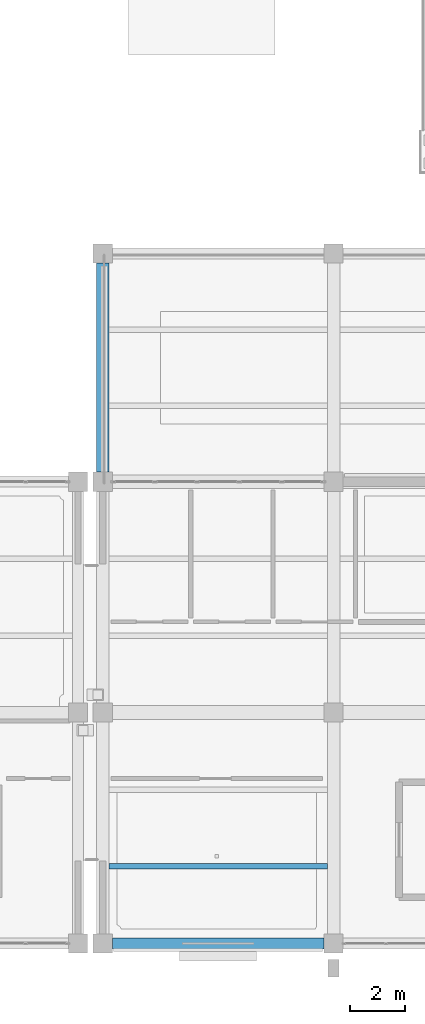
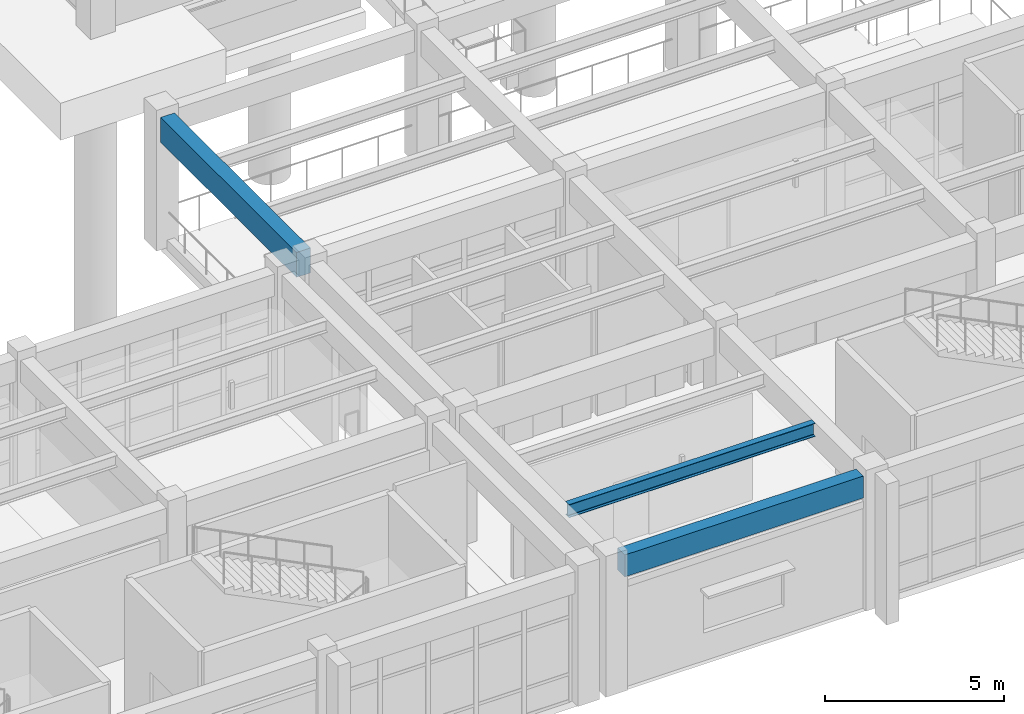
# One storey, part 25 of 98: 3 beams.
"""IFC4 building model written with IfcOpenShell, lengths in metres."""

from ifc_helpers import new_model, si_unit, direction, frame, origin, origin_2d, place, context, subcontext, project, spatial, rectangle, i_section, extrude, material, material_profile, profile_set, type_object, element, save


model = new_model("IFC4")

# Units and contexts
model_context = context("Model", 3, precision=1e-05, world=origin(), true_north=direction((0.0, 1.0)))
body_context = subcontext(model_context, "Body", "Model", "MODEL_VIEW")
ifc_project = project(units=[si_unit("LENGTHUNIT", "METRE"), si_unit("AREAUNIT", "SQUARE_METRE"), si_unit("VOLUMEUNIT", "CUBIC_METRE"), si_unit("PLANEANGLEUNIT", "RADIAN"), si_unit("MASSUNIT", "GRAM", prefix="KILO")], contexts=[model_context])

# Site, building, storey
site_placement = place(None, origin())
site = spatial("IfcSite", under=ifc_project, at=site_placement, CompositionType="ELEMENT")
building_placement = place(site_placement, origin())
building = spatial("IfcBuilding", under=site, at=building_placement, Name="Canglan Escarpment Cableway Terminal", CompositionType="ELEMENT")
storey_placement = place(building_placement, frame((0.0, 0.0, 9.60009765625)))
storey = spatial("IfcBuildingStorey", under=building, at=storey_placement, Name="L02", CompositionType="ELEMENT", Elevation=9.60009765625)

# Beams
ifc_material_1 = material(Name="Concrete C40", Category="concrete")
ifc_material_profile_1 = material_profile(ifc_material_1, rectangle(XDim=0.449951171875, YDim=0.85009765625, at=origin_2d()), Name="RC 450x850")
ifc_profile_set_1 = profile_set([ifc_material_profile_1], Name="Concrete C40")
beam_type_1 = type_object("IfcBeamType", Name="BM-RC450x850", PredefinedType="BEAM", material=ifc_profile_set_1)
beam_1_placement = place(storey_placement, frame((111.5, 25.14990234375, 4.094970703125), z_axis=(0.0, 1.0, 0.0), x_axis=(-1.0, 0.0, 0.0)))
element("IfcBeam", 1, at=beam_1_placement, inside=storey, type_object=beam_type_1, Name="Primary transverse girder B-02", PredefinedType="BEAM", context=body_context, shape_type="SweptSolid", body=[
    extrude(rectangle(XDim=0.449951171875, YDim=0.85009765625, at=origin_2d()), origin(), (0.0, 0.0, 1.0), 7.60009765625),
])
ifc_material_2 = material(Name="Steel Q355B", Category="steel")
ifc_material_profile_2 = material_profile(ifc_material_2, i_section(OverallWidth=0.199951171875, OverallDepth=0.449951171875, WebThickness=0.009033203125, FlangeThickness=0.013916015625, FilletRadius=0.01806640625, at=origin_2d()), Name="HN 450x200x9x14")
ifc_profile_set_2 = profile_set([ifc_material_profile_2], Name="Steel Q355B")
beam_type_2 = type_object("IfcBeamType", Name="JS-HN450", PredefinedType="JOIST", material=ifc_profile_set_2)
beam_2_placement = place(storey_placement, frame((111.72509765625, 10.800048828125, 4.294921875), z_axis=(1.0, 0.0, 0.0), x_axis=(0.0, 1.0, 0.0)))
element("IfcBeam", 2, at=beam_2_placement, inside=storey, type_object=beam_type_2, Name="Secondary composite deck joist J-02", PredefinedType="JOIST", context=body_context, shape_type="SweptSolid", body=[
    extrude(i_section(OverallWidth=0.199951171875, OverallDepth=0.449951171875, WebThickness=0.009033203125, FlangeThickness=0.013916015625, FilletRadius=0.01806640625, at=origin_2d()), origin(), (0.0, 0.0, 1.0), 7.949951171875),
])
ifc_material_profile_3 = material_profile(ifc_material_1, rectangle(XDim=0.39990234375, YDim=0.75, at=origin_2d()), Name="RC 400x750")
ifc_profile_set_3 = profile_set([ifc_material_profile_3], Name="Concrete C40")
beam_type_3 = type_object("IfcBeamType", Name="SP-RC400x750", PredefinedType="SPANDREL", material=ifc_profile_set_3)
beam_3_placement = place(storey_placement, frame((111.85009765625, 8.0, 4.14501953125), z_axis=(1.0, 0.0, 0.0), x_axis=(0.0, 1.0, 0.0)))
element("IfcBeam", 3, at=beam_3_placement, inside=storey, type_object=beam_type_3, Name="Primary structural girder SP-01", PredefinedType="SPANDREL", context=body_context, shape_type="SweptSolid", body=[
    extrude(rectangle(XDim=0.39990234375, YDim=0.75, at=origin_2d()), origin(), (0.0, 0.0, 1.0), 7.699951171875),
])

save(model, "model.ifc")
